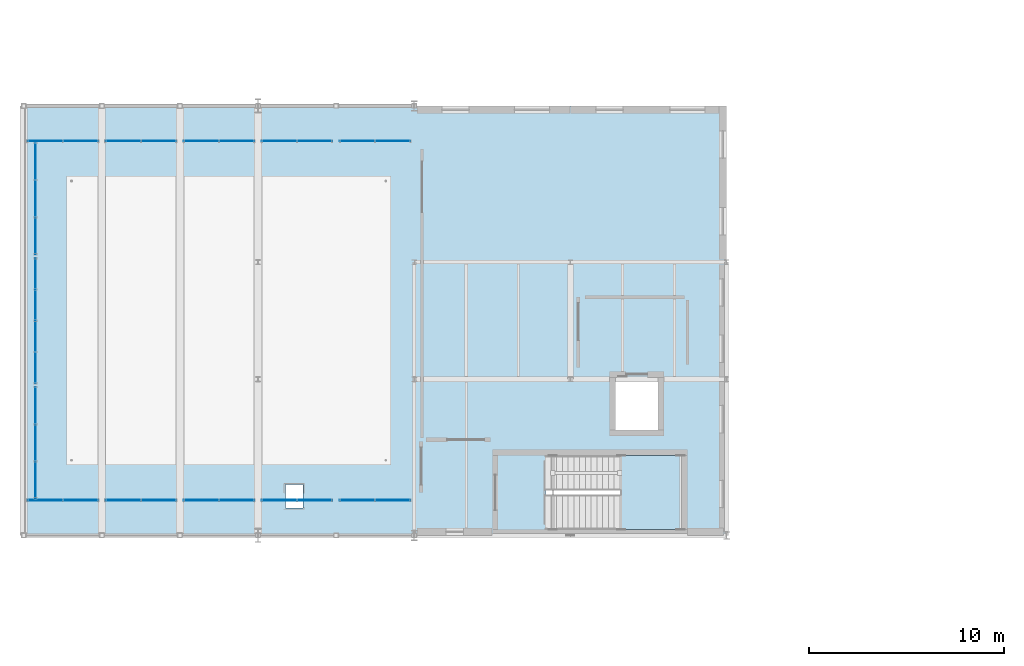
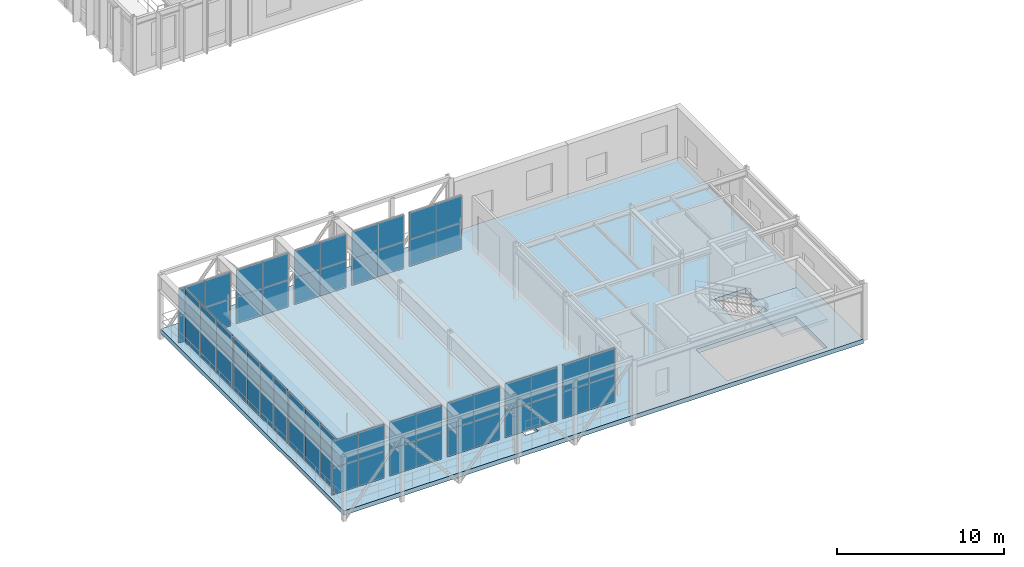
# One storey, part 68 of 124: 60 plates, 2 slabs, 14 elements without a shape of their own.
"""IFC4 building model written with IfcOpenShell, lengths in metres."""

from ifc_helpers import new_model, si_unit, direction, frame, origin, origin_2d, place, context, subcontext, project, spatial, polyline, rectangle, outline, extrude, material, layer, layer_set, type_object, element, aggregate, save


model = new_model("IFC4")

# Units and contexts
model_context = context("Model", 3, precision=1e-05, world=origin(), true_north=direction((0.0, 1.0)))
body_context = subcontext(model_context, "Body", "Model", "MODEL_VIEW")
ifc_project = project(units=[si_unit("LENGTHUNIT", "METRE"), si_unit("AREAUNIT", "SQUARE_METRE"), si_unit("VOLUMEUNIT", "CUBIC_METRE"), si_unit("PLANEANGLEUNIT", "RADIAN"), si_unit("MASSUNIT", "GRAM", prefix="KILO")], contexts=[model_context])

# Site, building, storey
site_placement = place(None, origin())
site = spatial("IfcSite", under=ifc_project, at=site_placement, CompositionType="ELEMENT")
building_placement = place(site_placement, origin())
building = spatial("IfcBuilding", under=site, at=building_placement, Name="Sundkrona Museum", CompositionType="ELEMENT")
storey_placement = place(building_placement, frame((0.0, 0.0, 17.60009765625)))
storey = spatial("IfcBuildingStorey", under=building, at=storey_placement, Name="L03", CompositionType="ELEMENT", Elevation=17.60009765625)

# Curtain wall, plates
ifc_material_1 = material(Name="Unitised Aluminium-Steel and Ceramic-Clad Curtain Walling", Category="steel")
curtain_wall_type_1 = type_object("IfcCurtainWallType", Name="CW-CV-36x38", PredefinedType="NOTDEFINED", material=ifc_material_1)
curtain_wall_1_placement = place(storey_placement, origin())
curtain_wall_1 = element("IfcCurtainWall", 1, at=curtain_wall_1_placement, inside=storey, type_object=curtain_wall_type_1, Name="L03 Curtain Wall CW-L03-152", PredefinedType="NOTDEFINED")
ifc_material_2 = material(Name="Triple Low-E Vision Glazing 32 mm", Category="glass")
ifc_layer_1 = layer(ifc_material_2, 0.031982421875)
ifc_layer_set_1 = layer_set([ifc_layer_1], Name="Triple Low-E Vision Glazing 32 mm")
plate_type = type_object("IfcPlateType", Name="PN-GL-01", PredefinedType="CURTAIN_PANEL", material=ifc_layer_set_1)
plate_1_placement = place(storey_placement, frame((5.10009765625, 33.800048828125, -0.004150390625), z_axis=(0.0, 0.0, 1.0), x_axis=(1.0, 0.0, 0.0)))
plate_1 = element("IfcPlate", 2, at=plate_1_placement, type_object=plate_type, Name="CW-L03-152 Panel 01", PredefinedType="CURTAIN_PANEL", context=body_context, shape_type="SweptSolid", body=[
    extrude(rectangle(XDim=1.800048828125, YDim=0.031982421875, at=origin_2d()), origin(), (0.0, 0.0, 1.0), 1.97412109375),
])
plate_2_placement = place(storey_placement, frame((5.10009765625, 33.800048828125, 1.9697265625), z_axis=(0.0, 0.0, 1.0), x_axis=(1.0, 0.0, 0.0)))
plate_2 = element("IfcPlate", 3, at=plate_2_placement, type_object=plate_type, Name="CW-L03-152 Panel 02", PredefinedType="CURTAIN_PANEL", context=body_context, shape_type="SweptSolid", body=[
    extrude(rectangle(XDim=1.800048828125, YDim=0.031982421875, at=origin_2d()), origin(), (0.0, 0.0, 1.0), 1.97412109375),
])
plate_3_placement = place(storey_placement, frame((6.89990234375, 33.800048828125, -0.004150390625), z_axis=(0.0, 0.0, 1.0), x_axis=(1.0, 0.0, 0.0)))
plate_3 = element("IfcPlate", 4, at=plate_3_placement, type_object=plate_type, Name="CW-L03-152 Panel 03", PredefinedType="CURTAIN_PANEL", context=body_context, shape_type="SweptSolid", body=[
    extrude(rectangle(XDim=1.800048828125, YDim=0.031982421875, at=origin_2d()), origin(), (0.0, 0.0, 1.0), 1.97412109375),
])
plate_4_placement = place(storey_placement, frame((6.89990234375, 33.800048828125, 1.9697265625), z_axis=(0.0, 0.0, 1.0), x_axis=(1.0, 0.0, 0.0)))
plate_4 = element("IfcPlate", 5, at=plate_4_placement, type_object=plate_type, Name="CW-L03-152 Panel 04", PredefinedType="CURTAIN_PANEL", context=body_context, shape_type="SweptSolid", body=[
    extrude(rectangle(XDim=1.800048828125, YDim=0.031982421875, at=origin_2d()), origin(), (0.0, 0.0, 1.0), 1.97412109375),
])
aggregate(curtain_wall_1, [plate_1, plate_2, plate_3, plate_4])

curtain_wall_2_placement = place(storey_placement, origin())
curtain_wall_2 = element("IfcCurtainWall", 6, at=curtain_wall_2_placement, inside=storey, type_object=curtain_wall_type_1, Name="L03 Curtain Wall CW-L03-153", PredefinedType="NOTDEFINED")
plate_5_placement = place(storey_placement, frame((5.10009765625, 52.199951171875, -0.004150390625), z_axis=(0.0, 0.0, 1.0), x_axis=(1.0, 0.0, 0.0)))
plate_5 = element("IfcPlate", 7, at=plate_5_placement, type_object=plate_type, Name="CW-L03-153 Panel 01", PredefinedType="CURTAIN_PANEL", context=body_context, shape_type="SweptSolid", body=[
    extrude(rectangle(XDim=1.800048828125, YDim=0.031982421875, at=origin_2d()), origin(), (0.0, 0.0, 1.0), 1.97412109375),
])
plate_6_placement = place(storey_placement, frame((5.10009765625, 52.199951171875, 1.9697265625), z_axis=(0.0, 0.0, 1.0), x_axis=(1.0, 0.0, 0.0)))
plate_6 = element("IfcPlate", 8, at=plate_6_placement, type_object=plate_type, Name="CW-L03-153 Panel 02", PredefinedType="CURTAIN_PANEL", context=body_context, shape_type="SweptSolid", body=[
    extrude(rectangle(XDim=1.800048828125, YDim=0.031982421875, at=origin_2d()), origin(), (0.0, 0.0, 1.0), 1.97412109375),
])
plate_7_placement = place(storey_placement, frame((6.89990234375, 52.199951171875, -0.004150390625), z_axis=(0.0, 0.0, 1.0), x_axis=(1.0, 0.0, 0.0)))
plate_7 = element("IfcPlate", 9, at=plate_7_placement, type_object=plate_type, Name="CW-L03-153 Panel 03", PredefinedType="CURTAIN_PANEL", context=body_context, shape_type="SweptSolid", body=[
    extrude(rectangle(XDim=1.800048828125, YDim=0.031982421875, at=origin_2d()), origin(), (0.0, 0.0, 1.0), 1.97412109375),
])
plate_8_placement = place(storey_placement, frame((6.89990234375, 52.199951171875, 1.9697265625), z_axis=(0.0, 0.0, 1.0), x_axis=(1.0, 0.0, 0.0)))
plate_8 = element("IfcPlate", 10, at=plate_8_placement, type_object=plate_type, Name="CW-L03-153 Panel 04", PredefinedType="CURTAIN_PANEL", context=body_context, shape_type="SweptSolid", body=[
    extrude(rectangle(XDim=1.800048828125, YDim=0.031982421875, at=origin_2d()), origin(), (0.0, 0.0, 1.0), 1.97412109375),
])
aggregate(curtain_wall_2, [plate_5, plate_6, plate_7, plate_8])

curtain_wall_3_placement = place(storey_placement, origin())
curtain_wall_3 = element("IfcCurtainWall", 11, at=curtain_wall_3_placement, inside=storey, type_object=curtain_wall_type_1, Name="L03 Curtain Wall CW-L03-154", PredefinedType="NOTDEFINED")
plate_9_placement = place(storey_placement, frame((9.10009765625, 33.800048828125, -0.004150390625), z_axis=(0.0, 0.0, 1.0), x_axis=(1.0, 0.0, 0.0)))
plate_9 = element("IfcPlate", 12, at=plate_9_placement, type_object=plate_type, Name="CW-L03-154 Panel 01", PredefinedType="CURTAIN_PANEL", context=body_context, shape_type="SweptSolid", body=[
    extrude(rectangle(XDim=1.800048828125, YDim=0.031982421875, at=origin_2d()), origin(), (0.0, 0.0, 1.0), 1.97412109375),
])
plate_10_placement = place(storey_placement, frame((9.10009765625, 33.800048828125, 1.9697265625), z_axis=(0.0, 0.0, 1.0), x_axis=(1.0, 0.0, 0.0)))
plate_10 = element("IfcPlate", 13, at=plate_10_placement, type_object=plate_type, Name="CW-L03-154 Panel 02", PredefinedType="CURTAIN_PANEL", context=body_context, shape_type="SweptSolid", body=[
    extrude(rectangle(XDim=1.800048828125, YDim=0.031982421875, at=origin_2d()), origin(), (0.0, 0.0, 1.0), 1.97412109375),
])
plate_11_placement = place(storey_placement, frame((10.89990234375, 33.800048828125, -0.004150390625), z_axis=(0.0, 0.0, 1.0), x_axis=(1.0, 0.0, 0.0)))
plate_11 = element("IfcPlate", 14, at=plate_11_placement, type_object=plate_type, Name="CW-L03-154 Panel 03", PredefinedType="CURTAIN_PANEL", context=body_context, shape_type="SweptSolid", body=[
    extrude(rectangle(XDim=1.800048828125, YDim=0.031982421875, at=origin_2d()), origin(), (0.0, 0.0, 1.0), 1.97412109375),
])
plate_12_placement = place(storey_placement, frame((10.89990234375, 33.800048828125, 1.9697265625), z_axis=(0.0, 0.0, 1.0), x_axis=(1.0, 0.0, 0.0)))
plate_12 = element("IfcPlate", 15, at=plate_12_placement, type_object=plate_type, Name="CW-L03-154 Panel 04", PredefinedType="CURTAIN_PANEL", context=body_context, shape_type="SweptSolid", body=[
    extrude(rectangle(XDim=1.800048828125, YDim=0.031982421875, at=origin_2d()), origin(), (0.0, 0.0, 1.0), 1.97412109375),
])
aggregate(curtain_wall_3, [plate_9, plate_10, plate_11, plate_12])

curtain_wall_4_placement = place(storey_placement, origin())
curtain_wall_4 = element("IfcCurtainWall", 16, at=curtain_wall_4_placement, inside=storey, type_object=curtain_wall_type_1, Name="L03 Curtain Wall CW-L03-155", PredefinedType="NOTDEFINED")
plate_13_placement = place(storey_placement, frame((9.10009765625, 52.199951171875, -0.004150390625), z_axis=(0.0, 0.0, 1.0), x_axis=(1.0, 0.0, 0.0)))
plate_13 = element("IfcPlate", 17, at=plate_13_placement, type_object=plate_type, Name="CW-L03-155 Panel 01", PredefinedType="CURTAIN_PANEL", context=body_context, shape_type="SweptSolid", body=[
    extrude(rectangle(XDim=1.800048828125, YDim=0.031982421875, at=origin_2d()), origin(), (0.0, 0.0, 1.0), 1.97412109375),
])
plate_14_placement = place(storey_placement, frame((9.10009765625, 52.199951171875, 1.9697265625), z_axis=(0.0, 0.0, 1.0), x_axis=(1.0, 0.0, 0.0)))
plate_14 = element("IfcPlate", 18, at=plate_14_placement, type_object=plate_type, Name="CW-L03-155 Panel 02", PredefinedType="CURTAIN_PANEL", context=body_context, shape_type="SweptSolid", body=[
    extrude(rectangle(XDim=1.800048828125, YDim=0.031982421875, at=origin_2d()), origin(), (0.0, 0.0, 1.0), 1.97412109375),
])
plate_15_placement = place(storey_placement, frame((10.89990234375, 52.199951171875, -0.004150390625), z_axis=(0.0, 0.0, 1.0), x_axis=(1.0, 0.0, 0.0)))
plate_15 = element("IfcPlate", 19, at=plate_15_placement, type_object=plate_type, Name="CW-L03-155 Panel 03", PredefinedType="CURTAIN_PANEL", context=body_context, shape_type="SweptSolid", body=[
    extrude(rectangle(XDim=1.800048828125, YDim=0.031982421875, at=origin_2d()), origin(), (0.0, 0.0, 1.0), 1.97412109375),
])
plate_16_placement = place(storey_placement, frame((10.89990234375, 52.199951171875, 1.9697265625), z_axis=(0.0, 0.0, 1.0), x_axis=(1.0, 0.0, 0.0)))
plate_16 = element("IfcPlate", 20, at=plate_16_placement, type_object=plate_type, Name="CW-L03-155 Panel 04", PredefinedType="CURTAIN_PANEL", context=body_context, shape_type="SweptSolid", body=[
    extrude(rectangle(XDim=1.800048828125, YDim=0.031982421875, at=origin_2d()), origin(), (0.0, 0.0, 1.0), 1.97412109375),
])
aggregate(curtain_wall_4, [plate_13, plate_14, plate_15, plate_16])

curtain_wall_5_placement = place(storey_placement, origin())
curtain_wall_5 = element("IfcCurtainWall", 21, at=curtain_wall_5_placement, inside=storey, type_object=curtain_wall_type_1, Name="L03 Curtain Wall CW-L03-156", PredefinedType="NOTDEFINED")
plate_17_placement = place(storey_placement, frame((13.10009765625, 33.800048828125, -0.004150390625), z_axis=(0.0, 0.0, 1.0), x_axis=(1.0, 0.0, 0.0)))
plate_17 = element("IfcPlate", 22, at=plate_17_placement, type_object=plate_type, Name="CW-L03-156 Panel 01", PredefinedType="CURTAIN_PANEL", context=body_context, shape_type="SweptSolid", body=[
    extrude(rectangle(XDim=1.800048828125, YDim=0.031982421875, at=origin_2d()), origin(), (0.0, 0.0, 1.0), 1.97412109375),
])
plate_18_placement = place(storey_placement, frame((13.10009765625, 33.800048828125, 1.9697265625), z_axis=(0.0, 0.0, 1.0), x_axis=(1.0, 0.0, 0.0)))
plate_18 = element("IfcPlate", 23, at=plate_18_placement, type_object=plate_type, Name="CW-L03-156 Panel 02", PredefinedType="CURTAIN_PANEL", context=body_context, shape_type="SweptSolid", body=[
    extrude(rectangle(XDim=1.800048828125, YDim=0.031982421875, at=origin_2d()), origin(), (0.0, 0.0, 1.0), 1.97412109375),
])
plate_19_placement = place(storey_placement, frame((14.89990234375, 33.800048828125, -0.004150390625), z_axis=(0.0, 0.0, 1.0), x_axis=(1.0, 0.0, 0.0)))
plate_19 = element("IfcPlate", 24, at=plate_19_placement, type_object=plate_type, Name="CW-L03-156 Panel 03", PredefinedType="CURTAIN_PANEL", context=body_context, shape_type="SweptSolid", body=[
    extrude(rectangle(XDim=1.800048828125, YDim=0.031982421875, at=origin_2d()), origin(), (0.0, 0.0, 1.0), 1.97412109375),
])
plate_20_placement = place(storey_placement, frame((14.89990234375, 33.800048828125, 1.9697265625), z_axis=(0.0, 0.0, 1.0), x_axis=(1.0, 0.0, 0.0)))
plate_20 = element("IfcPlate", 25, at=plate_20_placement, type_object=plate_type, Name="CW-L03-156 Panel 04", PredefinedType="CURTAIN_PANEL", context=body_context, shape_type="SweptSolid", body=[
    extrude(rectangle(XDim=1.800048828125, YDim=0.031982421875, at=origin_2d()), origin(), (0.0, 0.0, 1.0), 1.97412109375),
])
aggregate(curtain_wall_5, [plate_17, plate_18, plate_19, plate_20])

curtain_wall_6_placement = place(storey_placement, origin())
curtain_wall_6 = element("IfcCurtainWall", 26, at=curtain_wall_6_placement, inside=storey, type_object=curtain_wall_type_1, Name="L03 Curtain Wall CW-L03-157", PredefinedType="NOTDEFINED")
plate_21_placement = place(storey_placement, frame((13.10009765625, 52.199951171875, -0.004150390625), z_axis=(0.0, 0.0, 1.0), x_axis=(1.0, 0.0, 0.0)))
plate_21 = element("IfcPlate", 27, at=plate_21_placement, type_object=plate_type, Name="CW-L03-157 Panel 01", PredefinedType="CURTAIN_PANEL", context=body_context, shape_type="SweptSolid", body=[
    extrude(rectangle(XDim=1.800048828125, YDim=0.031982421875, at=origin_2d()), origin(), (0.0, 0.0, 1.0), 1.97412109375),
])
plate_22_placement = place(storey_placement, frame((13.10009765625, 52.199951171875, 1.9697265625), z_axis=(0.0, 0.0, 1.0), x_axis=(1.0, 0.0, 0.0)))
plate_22 = element("IfcPlate", 28, at=plate_22_placement, type_object=plate_type, Name="CW-L03-157 Panel 02", PredefinedType="CURTAIN_PANEL", context=body_context, shape_type="SweptSolid", body=[
    extrude(rectangle(XDim=1.800048828125, YDim=0.031982421875, at=origin_2d()), origin(), (0.0, 0.0, 1.0), 1.97412109375),
])
plate_23_placement = place(storey_placement, frame((14.89990234375, 52.199951171875, -0.004150390625), z_axis=(0.0, 0.0, 1.0), x_axis=(1.0, 0.0, 0.0)))
plate_23 = element("IfcPlate", 29, at=plate_23_placement, type_object=plate_type, Name="CW-L03-157 Panel 03", PredefinedType="CURTAIN_PANEL", context=body_context, shape_type="SweptSolid", body=[
    extrude(rectangle(XDim=1.800048828125, YDim=0.031982421875, at=origin_2d()), origin(), (0.0, 0.0, 1.0), 1.97412109375),
])
plate_24_placement = place(storey_placement, frame((14.89990234375, 52.199951171875, 1.9697265625), z_axis=(0.0, 0.0, 1.0), x_axis=(1.0, 0.0, 0.0)))
plate_24 = element("IfcPlate", 30, at=plate_24_placement, type_object=plate_type, Name="CW-L03-157 Panel 04", PredefinedType="CURTAIN_PANEL", context=body_context, shape_type="SweptSolid", body=[
    extrude(rectangle(XDim=1.800048828125, YDim=0.031982421875, at=origin_2d()), origin(), (0.0, 0.0, 1.0), 1.97412109375),
])
aggregate(curtain_wall_6, [plate_21, plate_22, plate_23, plate_24])

curtain_wall_7_placement = place(storey_placement, origin())
curtain_wall_7 = element("IfcCurtainWall", 31, at=curtain_wall_7_placement, inside=storey, type_object=curtain_wall_type_1, Name="L03 Curtain Wall CW-L03-158", PredefinedType="NOTDEFINED")
plate_25_placement = place(storey_placement, frame((17.10009765625, 33.800048828125, -0.004150390625), z_axis=(0.0, 0.0, 1.0), x_axis=(1.0, 0.0, 0.0)))
plate_25 = element("IfcPlate", 32, at=plate_25_placement, type_object=plate_type, Name="CW-L03-158 Panel 01", PredefinedType="CURTAIN_PANEL", context=body_context, shape_type="SweptSolid", body=[
    extrude(rectangle(XDim=1.800048828125, YDim=0.031982421875, at=origin_2d()), origin(), (0.0, 0.0, 1.0), 1.97412109375),
])
plate_26_placement = place(storey_placement, frame((17.10009765625, 33.800048828125, 1.9697265625), z_axis=(0.0, 0.0, 1.0), x_axis=(1.0, 0.0, 0.0)))
plate_26 = element("IfcPlate", 33, at=plate_26_placement, type_object=plate_type, Name="CW-L03-158 Panel 02", PredefinedType="CURTAIN_PANEL", context=body_context, shape_type="SweptSolid", body=[
    extrude(rectangle(XDim=1.800048828125, YDim=0.031982421875, at=origin_2d()), origin(), (0.0, 0.0, 1.0), 1.97412109375),
])
plate_27_placement = place(storey_placement, frame((18.89990234375, 33.800048828125, -0.004150390625), z_axis=(0.0, 0.0, 1.0), x_axis=(1.0, 0.0, 0.0)))
plate_27 = element("IfcPlate", 34, at=plate_27_placement, type_object=plate_type, Name="CW-L03-158 Panel 03", PredefinedType="CURTAIN_PANEL", context=body_context, shape_type="SweptSolid", body=[
    extrude(rectangle(XDim=1.800048828125, YDim=0.031982421875, at=origin_2d()), origin(), (0.0, 0.0, 1.0), 1.97412109375),
])
plate_28_placement = place(storey_placement, frame((18.89990234375, 33.800048828125, 1.9697265625), z_axis=(0.0, 0.0, 1.0), x_axis=(1.0, 0.0, 0.0)))
plate_28 = element("IfcPlate", 35, at=plate_28_placement, type_object=plate_type, Name="CW-L03-158 Panel 04", PredefinedType="CURTAIN_PANEL", context=body_context, shape_type="SweptSolid", body=[
    extrude(rectangle(XDim=1.800048828125, YDim=0.031982421875, at=origin_2d()), origin(), (0.0, 0.0, 1.0), 1.97412109375),
])
aggregate(curtain_wall_7, [plate_25, plate_26, plate_27, plate_28])

curtain_wall_8_placement = place(storey_placement, origin())
curtain_wall_8 = element("IfcCurtainWall", 36, at=curtain_wall_8_placement, inside=storey, type_object=curtain_wall_type_1, Name="L03 Curtain Wall CW-L03-159", PredefinedType="NOTDEFINED")
plate_29_placement = place(storey_placement, frame((17.10009765625, 52.199951171875, -0.004150390625), z_axis=(0.0, 0.0, 1.0), x_axis=(1.0, 0.0, 0.0)))
plate_29 = element("IfcPlate", 37, at=plate_29_placement, type_object=plate_type, Name="CW-L03-159 Panel 01", PredefinedType="CURTAIN_PANEL", context=body_context, shape_type="SweptSolid", body=[
    extrude(rectangle(XDim=1.800048828125, YDim=0.031982421875, at=origin_2d()), origin(), (0.0, 0.0, 1.0), 1.97412109375),
])
plate_30_placement = place(storey_placement, frame((17.10009765625, 52.199951171875, 1.9697265625), z_axis=(0.0, 0.0, 1.0), x_axis=(1.0, 0.0, 0.0)))
plate_30 = element("IfcPlate", 38, at=plate_30_placement, type_object=plate_type, Name="CW-L03-159 Panel 02", PredefinedType="CURTAIN_PANEL", context=body_context, shape_type="SweptSolid", body=[
    extrude(rectangle(XDim=1.800048828125, YDim=0.031982421875, at=origin_2d()), origin(), (0.0, 0.0, 1.0), 1.97412109375),
])
plate_31_placement = place(storey_placement, frame((18.89990234375, 52.199951171875, -0.004150390625), z_axis=(0.0, 0.0, 1.0), x_axis=(1.0, 0.0, 0.0)))
plate_31 = element("IfcPlate", 39, at=plate_31_placement, type_object=plate_type, Name="CW-L03-159 Panel 03", PredefinedType="CURTAIN_PANEL", context=body_context, shape_type="SweptSolid", body=[
    extrude(rectangle(XDim=1.800048828125, YDim=0.031982421875, at=origin_2d()), origin(), (0.0, 0.0, 1.0), 1.97412109375),
])
plate_32_placement = place(storey_placement, frame((18.89990234375, 52.199951171875, 1.9697265625), z_axis=(0.0, 0.0, 1.0), x_axis=(1.0, 0.0, 0.0)))
plate_32 = element("IfcPlate", 40, at=plate_32_placement, type_object=plate_type, Name="CW-L03-159 Panel 04", PredefinedType="CURTAIN_PANEL", context=body_context, shape_type="SweptSolid", body=[
    extrude(rectangle(XDim=1.800048828125, YDim=0.031982421875, at=origin_2d()), origin(), (0.0, 0.0, 1.0), 1.97412109375),
])
aggregate(curtain_wall_8, [plate_29, plate_30, plate_31, plate_32])

curtain_wall_9_placement = place(storey_placement, origin())
curtain_wall_9 = element("IfcCurtainWall", 41, at=curtain_wall_9_placement, inside=storey, type_object=curtain_wall_type_1, Name="L03 Curtain Wall CW-L03-160", PredefinedType="NOTDEFINED")
plate_33_placement = place(storey_placement, frame((21.10009765625, 33.800048828125, -0.004150390625), z_axis=(0.0, 0.0, 1.0), x_axis=(1.0, 0.0, 0.0)))
plate_33 = element("IfcPlate", 42, at=plate_33_placement, type_object=plate_type, Name="CW-L03-160 Panel 01", PredefinedType="CURTAIN_PANEL", context=body_context, shape_type="SweptSolid", body=[
    extrude(rectangle(XDim=1.800048828125, YDim=0.031982421875, at=origin_2d()), origin(), (0.0, 0.0, 1.0), 1.97412109375),
])
plate_34_placement = place(storey_placement, frame((21.10009765625, 33.800048828125, 1.9697265625), z_axis=(0.0, 0.0, 1.0), x_axis=(1.0, 0.0, 0.0)))
plate_34 = element("IfcPlate", 43, at=plate_34_placement, type_object=plate_type, Name="CW-L03-160 Panel 02", PredefinedType="CURTAIN_PANEL", context=body_context, shape_type="SweptSolid", body=[
    extrude(rectangle(XDim=1.800048828125, YDim=0.031982421875, at=origin_2d()), origin(), (0.0, 0.0, 1.0), 1.97412109375),
])
plate_35_placement = place(storey_placement, frame((22.89990234375, 33.800048828125, -0.004150390625), z_axis=(0.0, 0.0, 1.0), x_axis=(1.0, 0.0, 0.0)))
plate_35 = element("IfcPlate", 44, at=plate_35_placement, type_object=plate_type, Name="CW-L03-160 Panel 03", PredefinedType="CURTAIN_PANEL", context=body_context, shape_type="SweptSolid", body=[
    extrude(rectangle(XDim=1.800048828125, YDim=0.031982421875, at=origin_2d()), origin(), (0.0, 0.0, 1.0), 1.97412109375),
])
plate_36_placement = place(storey_placement, frame((22.89990234375, 33.800048828125, 1.9697265625), z_axis=(0.0, 0.0, 1.0), x_axis=(1.0, 0.0, 0.0)))
plate_36 = element("IfcPlate", 45, at=plate_36_placement, type_object=plate_type, Name="CW-L03-160 Panel 04", PredefinedType="CURTAIN_PANEL", context=body_context, shape_type="SweptSolid", body=[
    extrude(rectangle(XDim=1.800048828125, YDim=0.031982421875, at=origin_2d()), origin(), (0.0, 0.0, 1.0), 1.97412109375),
])
aggregate(curtain_wall_9, [plate_33, plate_34, plate_35, plate_36])

curtain_wall_10_placement = place(storey_placement, origin())
curtain_wall_10 = element("IfcCurtainWall", 46, at=curtain_wall_10_placement, inside=storey, type_object=curtain_wall_type_1, Name="L03 Curtain Wall CW-L03-161", PredefinedType="NOTDEFINED")
plate_37_placement = place(storey_placement, frame((21.10009765625, 52.199951171875, -0.004150390625), z_axis=(0.0, 0.0, 1.0), x_axis=(1.0, 0.0, 0.0)))
plate_37 = element("IfcPlate", 47, at=plate_37_placement, type_object=plate_type, Name="CW-L03-161 Panel 01", PredefinedType="CURTAIN_PANEL", context=body_context, shape_type="SweptSolid", body=[
    extrude(rectangle(XDim=1.800048828125, YDim=0.031982421875, at=origin_2d()), origin(), (0.0, 0.0, 1.0), 1.97412109375),
])
plate_38_placement = place(storey_placement, frame((21.10009765625, 52.199951171875, 1.9697265625), z_axis=(0.0, 0.0, 1.0), x_axis=(1.0, 0.0, 0.0)))
plate_38 = element("IfcPlate", 48, at=plate_38_placement, type_object=plate_type, Name="CW-L03-161 Panel 02", PredefinedType="CURTAIN_PANEL", context=body_context, shape_type="SweptSolid", body=[
    extrude(rectangle(XDim=1.800048828125, YDim=0.031982421875, at=origin_2d()), origin(), (0.0, 0.0, 1.0), 1.97412109375),
])
plate_39_placement = place(storey_placement, frame((22.89990234375, 52.199951171875, -0.004150390625), z_axis=(0.0, 0.0, 1.0), x_axis=(1.0, 0.0, 0.0)))
plate_39 = element("IfcPlate", 49, at=plate_39_placement, type_object=plate_type, Name="CW-L03-161 Panel 03", PredefinedType="CURTAIN_PANEL", context=body_context, shape_type="SweptSolid", body=[
    extrude(rectangle(XDim=1.800048828125, YDim=0.031982421875, at=origin_2d()), origin(), (0.0, 0.0, 1.0), 1.97412109375),
])
plate_40_placement = place(storey_placement, frame((22.89990234375, 52.199951171875, 1.9697265625), z_axis=(0.0, 0.0, 1.0), x_axis=(1.0, 0.0, 0.0)))
plate_40 = element("IfcPlate", 50, at=plate_40_placement, type_object=plate_type, Name="CW-L03-161 Panel 04", PredefinedType="CURTAIN_PANEL", context=body_context, shape_type="SweptSolid", body=[
    extrude(rectangle(XDim=1.800048828125, YDim=0.031982421875, at=origin_2d()), origin(), (0.0, 0.0, 1.0), 1.97412109375),
])
aggregate(curtain_wall_10, [plate_37, plate_38, plate_39, plate_40])

curtain_wall_type_2 = type_object("IfcCurtainWallType", Name="CW-CV-68x38", PredefinedType="NOTDEFINED", material=ifc_material_1)
curtain_wall_11_placement = place(storey_placement, origin())
curtain_wall_11 = element("IfcCurtainWall", 51, at=curtain_wall_11_placement, inside=storey, type_object=curtain_wall_type_2, Name="L03 Curtain Wall CW-CV-TIP-L03-33", PredefinedType="NOTDEFINED")
plate_41_placement = place(storey_placement, frame((4.60009765625, 34.85009765625, -0.004150390625), z_axis=(0.0, 0.0, 1.0), x_axis=(0.0, 1.0, 0.0)))
plate_41 = element("IfcPlate", 52, at=plate_41_placement, type_object=plate_type, Name="CW-CV-TIP-L03-33 Panel 01", PredefinedType="CURTAIN_PANEL", context=body_context, shape_type="SweptSolid", body=[
    extrude(rectangle(XDim=1.89990234375, YDim=0.031982421875, at=origin_2d()), origin(), (0.0, 0.0, 1.0), 2.2041015625),
])
plate_42_placement = place(storey_placement, frame((4.60009765625, 34.85009765625, 2.2001953125), z_axis=(0.0, 0.0, 1.0), x_axis=(0.0, 1.0, 0.0)))
plate_42 = element("IfcPlate", 53, at=plate_42_placement, type_object=plate_type, Name="CW-CV-TIP-L03-33 Panel 02", PredefinedType="CURTAIN_PANEL", context=body_context, shape_type="SweptSolid", body=[
    extrude(rectangle(XDim=1.89990234375, YDim=0.031982421875, at=origin_2d()), origin(), (0.0, 0.0, 1.0), 1.743896484375),
])
plate_43_placement = place(storey_placement, frame((4.60009765625, 36.75, -0.004150390625), z_axis=(0.0, 0.0, 1.0), x_axis=(0.0, 1.0, 0.0)))
plate_43 = element("IfcPlate", 54, at=plate_43_placement, type_object=plate_type, Name="CW-CV-TIP-L03-33 Panel 03", PredefinedType="CURTAIN_PANEL", context=body_context, shape_type="SweptSolid", body=[
    extrude(rectangle(XDim=1.89990234375, YDim=0.031982421875, at=origin_2d()), origin(), (0.0, 0.0, 1.0), 2.2041015625),
])
plate_44_placement = place(storey_placement, frame((4.60009765625, 36.75, 2.2001953125), z_axis=(0.0, 0.0, 1.0), x_axis=(0.0, 1.0, 0.0)))
plate_44 = element("IfcPlate", 55, at=plate_44_placement, type_object=plate_type, Name="CW-CV-TIP-L03-33 Panel 04", PredefinedType="CURTAIN_PANEL", context=body_context, shape_type="SweptSolid", body=[
    extrude(rectangle(XDim=1.89990234375, YDim=0.031982421875, at=origin_2d()), origin(), (0.0, 0.0, 1.0), 1.743896484375),
])
plate_45_placement = place(storey_placement, frame((4.60009765625, 38.64990234375, -0.004150390625), z_axis=(0.0, 0.0, 1.0), x_axis=(0.0, 1.0, 0.0)))
plate_45 = element("IfcPlate", 56, at=plate_45_placement, type_object=plate_type, Name="CW-CV-TIP-L03-33 Panel 05", PredefinedType="CURTAIN_PANEL", context=body_context, shape_type="SweptSolid", body=[
    extrude(rectangle(XDim=1.89990234375, YDim=0.031982421875, at=origin_2d()), origin(), (0.0, 0.0, 1.0), 2.2041015625),
])
plate_46_placement = place(storey_placement, frame((4.60009765625, 38.64990234375, 2.2001953125), z_axis=(0.0, 0.0, 1.0), x_axis=(0.0, 1.0, 0.0)))
plate_46 = element("IfcPlate", 57, at=plate_46_placement, type_object=plate_type, Name="CW-CV-TIP-L03-33 Panel 06", PredefinedType="CURTAIN_PANEL", context=body_context, shape_type="SweptSolid", body=[
    extrude(rectangle(XDim=1.89990234375, YDim=0.031982421875, at=origin_2d()), origin(), (0.0, 0.0, 1.0), 1.743896484375),
])
aggregate(curtain_wall_11, [plate_41, plate_42, plate_43, plate_44, plate_45, plate_46])

curtain_wall_12_placement = place(storey_placement, origin())
curtain_wall_12 = element("IfcCurtainWall", 58, at=curtain_wall_12_placement, inside=storey, type_object=curtain_wall_type_2, Name="L03 Curtain Wall CW-CV-TIP-L03-39", PredefinedType="NOTDEFINED")
plate_47_placement = place(storey_placement, frame((4.60009765625, 40.60009765625, -0.004150390625), z_axis=(0.0, 0.0, 1.0), x_axis=(0.0, 1.0, 0.0)))
plate_47 = element("IfcPlate", 59, at=plate_47_placement, type_object=plate_type, Name="CW-CV-TIP-L03-39 Panel 01", PredefinedType="CURTAIN_PANEL", context=body_context, shape_type="SweptSolid", body=[
    extrude(rectangle(XDim=1.60009765625, YDim=0.031982421875, at=origin_2d()), origin(), (0.0, 0.0, 1.0), 2.2041015625),
])
plate_48_placement = place(storey_placement, frame((4.60009765625, 40.60009765625, 2.2001953125), z_axis=(0.0, 0.0, 1.0), x_axis=(0.0, 1.0, 0.0)))
plate_48 = element("IfcPlate", 60, at=plate_48_placement, type_object=plate_type, Name="CW-CV-TIP-L03-39 Panel 02", PredefinedType="CURTAIN_PANEL", context=body_context, shape_type="SweptSolid", body=[
    extrude(rectangle(XDim=1.60009765625, YDim=0.031982421875, at=origin_2d()), origin(), (0.0, 0.0, 1.0), 1.743896484375),
])
plate_49_placement = place(storey_placement, frame((4.60009765625, 42.199951171875, -0.004150390625), z_axis=(0.0, 0.0, 1.0), x_axis=(0.0, 1.0, 0.0)))
plate_49 = element("IfcPlate", 61, at=plate_49_placement, type_object=plate_type, Name="CW-CV-TIP-L03-39 Panel 03", PredefinedType="CURTAIN_PANEL", context=body_context, shape_type="SweptSolid", body=[
    extrude(rectangle(XDim=1.60009765625, YDim=0.031982421875, at=origin_2d()), origin(), (0.0, 0.0, 1.0), 2.2041015625),
])
plate_50_placement = place(storey_placement, frame((4.60009765625, 42.199951171875, 2.2001953125), z_axis=(0.0, 0.0, 1.0), x_axis=(0.0, 1.0, 0.0)))
plate_50 = element("IfcPlate", 62, at=plate_50_placement, type_object=plate_type, Name="CW-CV-TIP-L03-39 Panel 04", PredefinedType="CURTAIN_PANEL", context=body_context, shape_type="SweptSolid", body=[
    extrude(rectangle(XDim=1.60009765625, YDim=0.031982421875, at=origin_2d()), origin(), (0.0, 0.0, 1.0), 1.743896484375),
])
plate_51_placement = place(storey_placement, frame((4.60009765625, 43.800048828125, -0.004150390625), z_axis=(0.0, 0.0, 1.0), x_axis=(0.0, 1.0, 0.0)))
plate_51 = element("IfcPlate", 63, at=plate_51_placement, type_object=plate_type, Name="CW-CV-TIP-L03-39 Panel 05", PredefinedType="CURTAIN_PANEL", context=body_context, shape_type="SweptSolid", body=[
    extrude(rectangle(XDim=1.60009765625, YDim=0.031982421875, at=origin_2d()), origin(), (0.0, 0.0, 1.0), 2.2041015625),
])
plate_52_placement = place(storey_placement, frame((4.60009765625, 43.800048828125, 2.2001953125), z_axis=(0.0, 0.0, 1.0), x_axis=(0.0, 1.0, 0.0)))
plate_52 = element("IfcPlate", 64, at=plate_52_placement, type_object=plate_type, Name="CW-CV-TIP-L03-39 Panel 06", PredefinedType="CURTAIN_PANEL", context=body_context, shape_type="SweptSolid", body=[
    extrude(rectangle(XDim=1.60009765625, YDim=0.031982421875, at=origin_2d()), origin(), (0.0, 0.0, 1.0), 1.743896484375),
])
plate_53_placement = place(storey_placement, frame((4.60009765625, 45.39990234375, -0.004150390625), z_axis=(0.0, 0.0, 1.0), x_axis=(0.0, 1.0, 0.0)))
plate_53 = element("IfcPlate", 65, at=plate_53_placement, type_object=plate_type, Name="CW-CV-TIP-L03-39 Panel 07", PredefinedType="CURTAIN_PANEL", context=body_context, shape_type="SweptSolid", body=[
    extrude(rectangle(XDim=1.60009765625, YDim=0.031982421875, at=origin_2d()), origin(), (0.0, 0.0, 1.0), 2.2041015625),
])
plate_54_placement = place(storey_placement, frame((4.60009765625, 45.39990234375, 2.2001953125), z_axis=(0.0, 0.0, 1.0), x_axis=(0.0, 1.0, 0.0)))
plate_54 = element("IfcPlate", 66, at=plate_54_placement, type_object=plate_type, Name="CW-CV-TIP-L03-39 Panel 08", PredefinedType="CURTAIN_PANEL", context=body_context, shape_type="SweptSolid", body=[
    extrude(rectangle(XDim=1.60009765625, YDim=0.031982421875, at=origin_2d()), origin(), (0.0, 0.0, 1.0), 1.743896484375),
])
aggregate(curtain_wall_12, [plate_47, plate_48, plate_49, plate_50, plate_51, plate_52, plate_53, plate_54])

curtain_wall_13_placement = place(storey_placement, origin())
curtain_wall_13 = element("IfcCurtainWall", 67, at=curtain_wall_13_placement, inside=storey, type_object=curtain_wall_type_2, Name="L03 Curtain Wall CW-CV-TIP-L03-46", PredefinedType="NOTDEFINED")
plate_55_placement = place(storey_placement, frame((4.60009765625, 47.35009765625, -0.004150390625), z_axis=(0.0, 0.0, 1.0), x_axis=(0.0, 1.0, 0.0)))
plate_55 = element("IfcPlate", 68, at=plate_55_placement, type_object=plate_type, Name="CW-CV-TIP-L03-46 Panel 01", PredefinedType="CURTAIN_PANEL", context=body_context, shape_type="SweptSolid", body=[
    extrude(rectangle(XDim=1.89990234375, YDim=0.031982421875, at=origin_2d()), origin(), (0.0, 0.0, 1.0), 2.2041015625),
])
plate_56_placement = place(storey_placement, frame((4.60009765625, 47.35009765625, 2.2001953125), z_axis=(0.0, 0.0, 1.0), x_axis=(0.0, 1.0, 0.0)))
plate_56 = element("IfcPlate", 69, at=plate_56_placement, type_object=plate_type, Name="CW-CV-TIP-L03-46 Panel 02", PredefinedType="CURTAIN_PANEL", context=body_context, shape_type="SweptSolid", body=[
    extrude(rectangle(XDim=1.89990234375, YDim=0.031982421875, at=origin_2d()), origin(), (0.0, 0.0, 1.0), 1.743896484375),
])
plate_57_placement = place(storey_placement, frame((4.60009765625, 49.25, -0.004150390625), z_axis=(0.0, 0.0, 1.0), x_axis=(0.0, 1.0, 0.0)))
plate_57 = element("IfcPlate", 70, at=plate_57_placement, type_object=plate_type, Name="CW-CV-TIP-L03-46 Panel 03", PredefinedType="CURTAIN_PANEL", context=body_context, shape_type="SweptSolid", body=[
    extrude(rectangle(XDim=1.89990234375, YDim=0.031982421875, at=origin_2d()), origin(), (0.0, 0.0, 1.0), 2.2041015625),
])
plate_58_placement = place(storey_placement, frame((4.60009765625, 49.25, 2.2001953125), z_axis=(0.0, 0.0, 1.0), x_axis=(0.0, 1.0, 0.0)))
plate_58 = element("IfcPlate", 71, at=plate_58_placement, type_object=plate_type, Name="CW-CV-TIP-L03-46 Panel 04", PredefinedType="CURTAIN_PANEL", context=body_context, shape_type="SweptSolid", body=[
    extrude(rectangle(XDim=1.89990234375, YDim=0.031982421875, at=origin_2d()), origin(), (0.0, 0.0, 1.0), 1.743896484375),
])
plate_59_placement = place(storey_placement, frame((4.60009765625, 51.14990234375, -0.004150390625), z_axis=(0.0, 0.0, 1.0), x_axis=(0.0, 1.0, 0.0)))
plate_59 = element("IfcPlate", 72, at=plate_59_placement, type_object=plate_type, Name="CW-CV-TIP-L03-46 Panel 05", PredefinedType="CURTAIN_PANEL", context=body_context, shape_type="SweptSolid", body=[
    extrude(rectangle(XDim=1.89990234375, YDim=0.031982421875, at=origin_2d()), origin(), (0.0, 0.0, 1.0), 2.2041015625),
])
plate_60_placement = place(storey_placement, frame((4.60009765625, 51.14990234375, 2.2001953125), z_axis=(0.0, 0.0, 1.0), x_axis=(0.0, 1.0, 0.0)))
plate_60 = element("IfcPlate", 73, at=plate_60_placement, type_object=plate_type, Name="CW-CV-TIP-L03-46 Panel 06", PredefinedType="CURTAIN_PANEL", context=body_context, shape_type="SweptSolid", body=[
    extrude(rectangle(XDim=1.89990234375, YDim=0.031982421875, at=origin_2d()), origin(), (0.0, 0.0, 1.0), 1.743896484375),
])
aggregate(curtain_wall_13, [plate_55, plate_56, plate_57, plate_58, plate_59, plate_60])

# Slab
ifc_material_3 = material(Name="Concrete C35/45", Category="concrete")
ifc_layer_2 = layer(ifc_material_3, 0.324951171875)
ifc_layer_set_2 = layer_set([ifc_layer_2], Name="Concrete C35/45")
slab_type_1 = type_object("IfcSlabType", Name="SL-CV-325", PredefinedType="FLOOR", material=ifc_layer_set_2)
slab_1_placement = place(storey_placement, frame((0.0, 0.0, -0.3251953125)))
element("IfcSlab", 74, at=slab_1_placement, inside=storey, type_object=slab_type_1, Name="L03 Cantilevered pavilion composite diaphragm slab 325 mm (SL-L03-V4C)", PredefinedType="FLOOR", context=body_context, shape_type="SweptSolid", body=[
    extrude(outline(polyline([(4.0, 32.0), (40.0, 32.0), (40.0, 54.0), (4.0, 54.0), (4.0, 32.0)]), holes=[polyline([(37.675048828125, 32.324951171875), (30.72509765625, 32.324951171875), (30.72509765625, 36.074951171875), (37.675048828125, 36.074951171875), (37.675048828125, 32.324951171875)]), polyline([(36.5, 37.39990234375), (34.300048828125, 37.39990234375), (34.300048828125, 40.10009765625), (36.5, 40.10009765625), (36.5, 37.39990234375)]), polyline([(17.39990234375, 34.60009765625), (18.300048828125, 34.60009765625), (18.300048828125, 33.39990234375), (17.39990234375, 33.39990234375), (17.39990234375, 34.60009765625)])]), origin(), (0.0, 0.0, 1.0), 0.3251953125),
])

# Stair, slab
stair_type = type_object("IfcStairType", Name="ST-DL-420", PredefinedType="HALF_TURN_STAIR", material=ifc_material_3)
stair_placement = place(storey_placement, origin())
stair = element("IfcStair", 75, at=stair_placement, inside=storey, type_object=stair_type, Name="L03 Protected Stair Core ST-4", PredefinedType="HALF_TURN_STAIR")
ifc_layer_3 = layer(ifc_material_3, 0.219970703125)
ifc_layer_set_3 = layer_set([ifc_layer_3], Name="Concrete C35/45")
slab_type_2 = type_object("IfcSlabType", Name="SL-LN-220", PredefinedType="LANDING", material=ifc_layer_set_3)
slab_2_placement = place(storey_placement, frame((0.0, 0.0, 1.8798828125)))
slab_2 = element("IfcSlab", 76, at=slab_2_placement, type_object=slab_type_2, Name="L03 Protected Stair Core ST-4 Landing 1", PredefinedType="LANDING", context=body_context, shape_type="SweptSolid", body=[
    extrude(outline(polyline([(34.534912109375, 32.300048828125), (37.699951171875, 32.300048828125), (37.699951171875, 36.10009765625), (34.534912109375, 36.10009765625), (34.534912109375, 32.300048828125)])), origin(), (0.0, 0.0, 1.0), 0.219970703125),
])
aggregate(stair, [slab_2])

save(model, "model.ifc")
